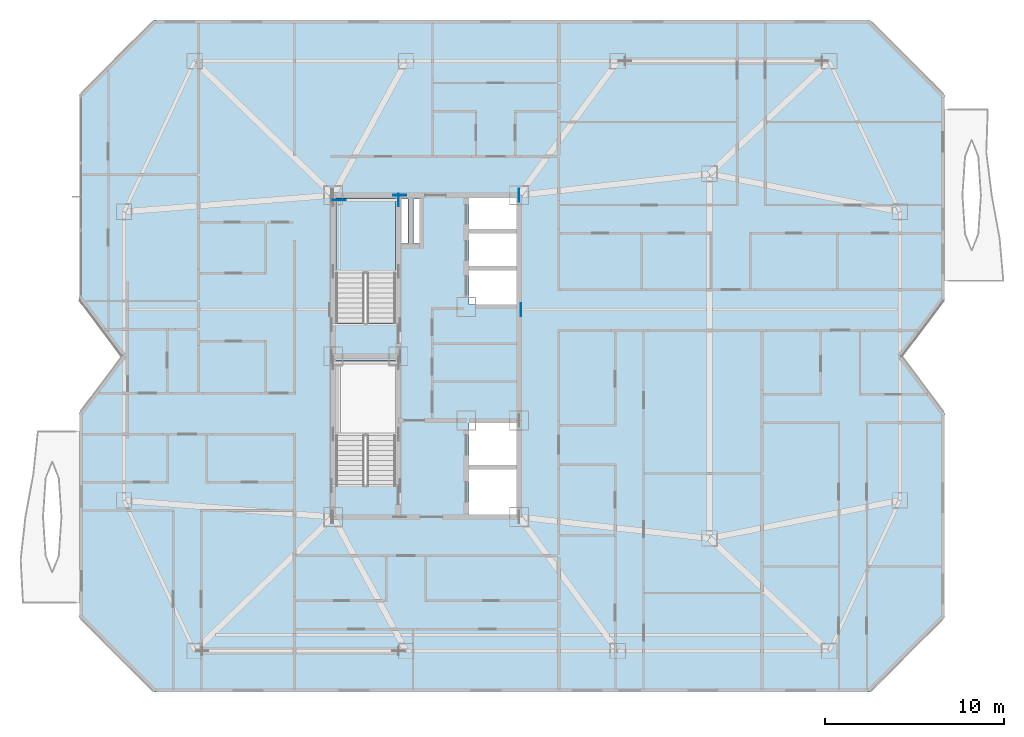
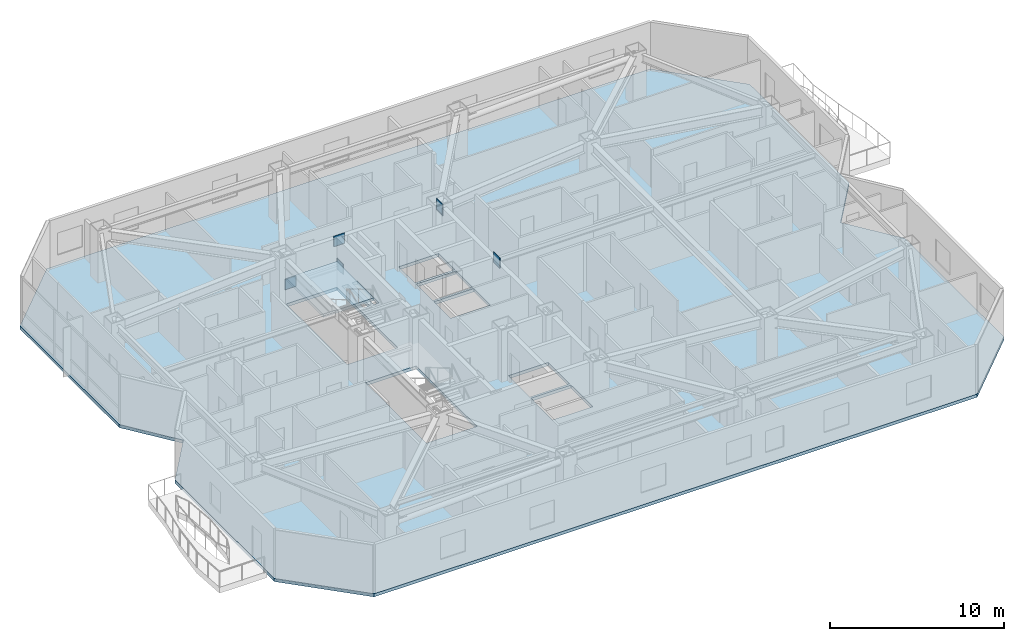
# One storey, part 7 of 18: 6 plates, 2 slabs, 1 element without a shape of its own.
"""IFC4 building model written with IfcOpenShell, lengths in metres."""

from ifc_helpers import new_model, si_unit, direction, frame, origin, origin_2d, place, context, subcontext, project, spatial, polyline, rectangle, outline, extrude, material, layer, layer_set, type_object, element, aggregate, save


model = new_model("IFC4")

# Units and contexts
model_context = context("Model", 3, precision=1e-05, world=origin(), true_north=direction((0.0, 1.0)))
body_context = subcontext(model_context, "Body", "Model", "MODEL_VIEW")
ifc_project = project(units=[si_unit("LENGTHUNIT", "METRE"), si_unit("AREAUNIT", "SQUARE_METRE"), si_unit("VOLUMEUNIT", "CUBIC_METRE"), si_unit("PLANEANGLEUNIT", "RADIAN"), si_unit("MASSUNIT", "GRAM", prefix="KILO")], contexts=[model_context])

# Site, building, storey
site_placement = place(None, origin())
site = spatial("IfcSite", under=ifc_project, at=site_placement, CompositionType="ELEMENT")
building_placement = place(site_placement, origin())
building = spatial("IfcBuilding", under=site, at=building_placement, Name="Khamvora Tower", CompositionType="ELEMENT")
storey_placement = place(building_placement, frame((0.0, 0.0, 181.449951171875)))
storey = spatial("IfcBuildingStorey", under=building, at=storey_placement, Name="L46", CompositionType="ELEMENT", Elevation=181.449951171875)

# Plates
ifc_material_1 = material(Name="Steel S460", Category="steel")
ifc_layer_1 = layer(ifc_material_1, 0.034912109375)
ifc_layer_set_1 = layer_set([ifc_layer_1], Name="Steel S460")
plate_type = type_object("IfcPlateType", Name="PL-EMB-35", PredefinedType="SHEET", material=ifc_layer_set_1)
plate_1_placement = place(storey_placement, frame((32.64990234375, 36.72998046875, 1.13427734375), z_axis=(0.0, 0.0, 1.0), x_axis=(1.0, 0.0, 0.0)))
element("IfcPlate", 1, at=plate_1_placement, inside=storey, type_object=plate_type, Name="L46 core shear wall cast-in embed plate 1345", PredefinedType="SHEET", context=body_context, shape_type="SweptSolid", body=[
    extrude(rectangle(XDim=0.034912109375, YDim=0.719970703125, at=origin_2d()), origin(), (0.0, 0.0, 1.0), 0.719970703125),
])
plate_2_placement = place(storey_placement, frame((29.35009765625, 36.72998046875, 1.13427734375), z_axis=(0.0, 0.0, 1.0), x_axis=(1.0, 0.0, 0.0)))
element("IfcPlate", 2, at=plate_2_placement, inside=storey, type_object=plate_type, Name="L46 core shear wall cast-in embed plate 1346", PredefinedType="SHEET", context=body_context, shape_type="SweptSolid", body=[
    extrude(rectangle(XDim=0.719970703125, YDim=0.034912109375, at=origin_2d()), origin(), (0.0, 0.0, 1.0), 0.719970703125),
])
plate_3_placement = place(storey_placement, frame((39.39990234375, 37.0, 2.72216796875), z_axis=(0.0, 0.0, 1.0), x_axis=(1.0, 0.0, 0.0)))
element("IfcPlate", 3, at=plate_3_placement, inside=storey, type_object=plate_type, Name="L46 core shear wall cast-in embed plate 1350", PredefinedType="SHEET", context=body_context, shape_type="SweptSolid", body=[
    extrude(rectangle(XDim=0.034912109375, YDim=0.719970703125, at=origin_2d()), origin(), (0.0, 0.0, 1.0), 0.719970703125),
])
plate_4_placement = place(storey_placement, frame((32.72998046875, 37.0, 2.80322265625), z_axis=(0.0, 0.0, 1.0), x_axis=(1.0, 0.0, 0.0)))
element("IfcPlate", 4, at=plate_4_placement, inside=storey, type_object=plate_type, Name="L46 core shear wall cast-in embed plate 1356", PredefinedType="SHEET", context=body_context, shape_type="SweptSolid", body=[
    extrude(rectangle(XDim=0.719970703125, YDim=0.034912109375, at=origin_2d()), origin(), (0.0, 0.0, 1.0), 0.719970703125),
])
for number, where, z_axis, x_axis, name in (
    (5, (39.39990234375, 37.0, 2.80322265625), (0.0, 0.0, 1.0), (1.0, 0.0, 0.0), "L46 core shear wall cast-in embed plate 1359"),
    (6, (39.4990234375, 30.60009765625, 2.89208984375), (0.0, 0.0, 1.0), (1.0, 0.0, 0.0), "L46 core shear wall cast-in embed plate 1365"),
):
    element("IfcPlate", number, at=place(storey_placement, frame(where, z_axis=z_axis, x_axis=x_axis)), inside=storey, type_object=plate_type, Name=name, PredefinedType="SHEET", context=body_context, shape_type="SweptSolid", body=[
        extrude(rectangle(XDim=0.034912109375, YDim=0.719970703125, at=origin_2d()), origin(), (0.0, 0.0, 1.0), 0.719970703125),
    ])

# Stair, slab
ifc_material_2 = material(Name="Concrete C40/50", Category="concrete")
stair_type = type_object("IfcStairType", Name="STR-ST-02", PredefinedType="HALF_TURN_STAIR", material=ifc_material_2)
stair_placement = place(storey_placement, origin())
stair = element("IfcStair", 7, at=stair_placement, inside=storey, type_object=stair_type, Name="L46 North Tower Exit Stair ST-02", PredefinedType="HALF_TURN_STAIR")
ifc_layer_2 = layer(ifc_material_2, 0.199951171875)
ifc_layer_set_2 = layer_set([ifc_layer_2], Name="Concrete C40/50")
slab_type_1 = type_object("IfcSlabType", Name="SLB-LND-200", PredefinedType="LANDING", material=ifc_layer_set_2)
slab_1_placement = place(storey_placement, frame((0.0, 0.0, 1.625)))
slab_1 = element("IfcSlab", 8, at=slab_1_placement, type_object=slab_type_1, Name="ST-02 landing 1", PredefinedType="LANDING", context=body_context, shape_type="SweptSolid", body=[
    extrude(outline(polyline([(32.5, 32.614990234375), (32.5, 36.85009765625), (29.14990234375, 36.85009765625), (29.14990234375, 32.614990234375), (32.5, 32.614990234375)])), origin(), (0.0, 0.0, 1.0), 0.199951171875),
])
aggregate(stair, [slab_1])

# Slab
ifc_material_3 = material(Name="Concrete C35/45", Category="concrete")
ifc_layer_3 = layer(ifc_material_3, 0.219970703125)
ifc_layer_set_3 = layer_set([ifc_layer_3], Name="Concrete C35/45")
slab_type_2 = type_object("IfcSlabType", Name="SLB-TYP-220", PredefinedType="FLOOR", material=ifc_layer_set_3)
slab_2_placement = place(storey_placement, frame((0.0, 0.0, -0.219970703125)))
element("IfcSlab", 9, at=slab_2_placement, inside=storey, type_object=slab_type_2, Name="L46 structural floor slab", PredefinedType="FLOOR", context=body_context, shape_type="SweptSolid", body=[
    extrude(outline(polyline([(19.0, 9.199951171875), (59.0, 9.199951171875), (63.199951171875, 13.39990234375), (63.199951171875, 24.800048828125), (60.800048828125, 28.0), (63.199951171875, 31.199951171875), (63.199951171875, 42.60009765625), (59.0, 46.800048828125), (19.0, 46.800048828125), (14.800048828125, 42.60009765625), (14.800048828125, 31.199951171875), (17.199951171875, 28.0), (14.800048828125, 24.800048828125), (14.800048828125, 13.39990234375), (19.0, 9.199951171875)]), holes=[polyline([(32.5, 20.760009765625), (32.5, 27.75), (29.14990234375, 27.75), (29.14990234375, 20.760009765625), (32.5, 20.760009765625)]), polyline([(32.5, 29.860107421875), (32.5, 36.85009765625), (29.14990234375, 36.85009765625), (29.14990234375, 29.860107421875), (32.5, 29.860107421875)]), polyline([(36.60009765625, 19.14990234375), (39.25, 19.14990234375), (39.25, 21.64990234375), (36.60009765625, 21.64990234375), (36.60009765625, 19.14990234375)]), polyline([(36.60009765625, 21.800048828125), (39.25, 21.800048828125), (39.25, 24.25), (36.60009765625, 24.25), (36.60009765625, 21.800048828125)]), polyline([(36.60009765625, 30.89990234375), (39.25, 30.89990234375), (39.25, 32.800048828125), (36.60009765625, 32.800048828125), (36.60009765625, 30.89990234375)]), polyline([(36.60009765625, 32.949951171875), (39.25, 32.949951171875), (39.25, 34.85009765625), (36.60009765625, 34.85009765625), (36.60009765625, 32.949951171875)]), polyline([(36.60009765625, 35.0), (39.25, 35.0), (39.25, 36.85009765625), (36.60009765625, 36.85009765625), (36.60009765625, 35.0)]), polyline([(32.800048828125, 34.300048828125), (33.199951171875, 34.300048828125), (33.199951171875, 36.800048828125), (32.800048828125, 36.800048828125), (32.800048828125, 34.300048828125)]), polyline([(33.47998046875, 34.300048828125), (33.820068359375, 34.300048828125), (33.820068359375, 36.800048828125), (33.47998046875, 36.800048828125), (33.47998046875, 34.300048828125)])]), origin(), (0.0, 0.0, 1.0), 0.219970703125),
])

save(model, "model.ifc")
